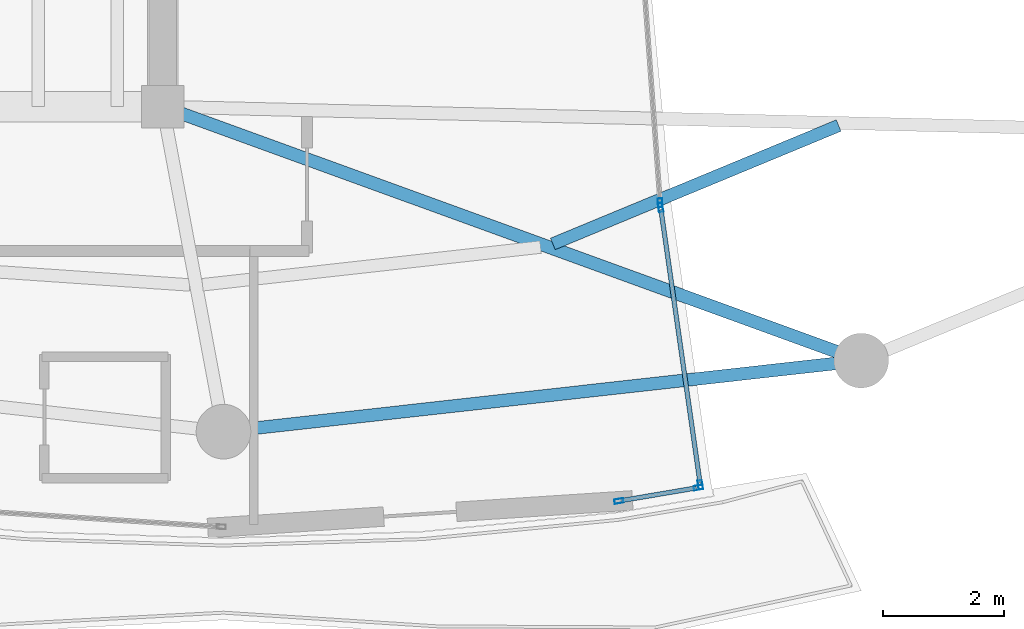
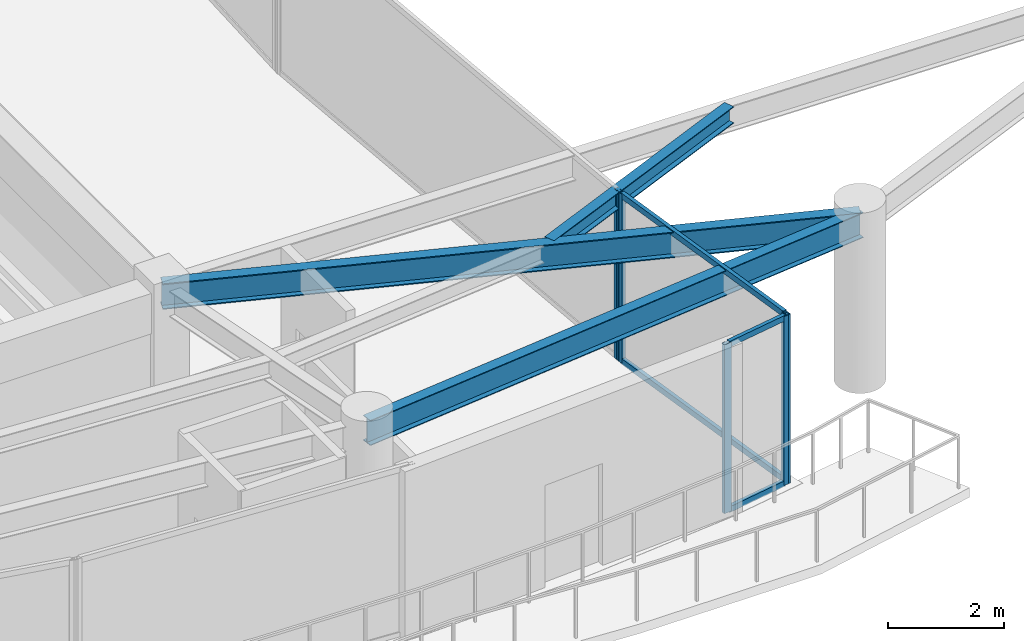
# One storey, part 10 of 23: 9 members, 3 beams, 3 elements without a shape of their own.
"""IFC4 building model written with IfcOpenShell, lengths in metres."""

import ifcopenshell
import ifcopenshell.guid

model = None  # the IFC model being written
_history = None  # IfcOwnerHistory: only IFC2X3 demands one
_inside = {}  # id of a spatial element -> (the spatial element, [elements in it])
_under = {}  # id of a project, library or spatial element -> (it, [spatial elements below it])
_declared = {}  # id of a project -> (the project, [libraries it declares])
_typed = {}  # id of a type object -> (the type object, [elements of that type])
_made_of = {}  # id of a material, layer set ... -> (it, [elements and type objects made of it])


def new_model(schema):
    """Start an empty IFC model of exactly this schema.

    Asked for "IFC4X3", IfcOpenShell would pick the latest addendum, in which some entities
    have other attributes; the version numbers below select the first issue.
    IFC2X3 requires an IfcOwnerHistory on every rooted entity: one is made here for all.
    """
    global model, _history
    if schema == "IFC4X3":
        model = ifcopenshell.file(schema_version=(4, 3, 0, 0))
    else:
        model = ifcopenshell.file(schema=schema)
    _inside.clear()
    _under.clear()
    _declared.clear()
    _typed.clear()
    _made_of.clear()
    _history = None
    if model.schema == "IFC2X3":
        org = make("IfcOrganization", Name="unknown")
        user = make(
            "IfcPersonAndOrganization",
            ThePerson=make("IfcPerson", FamilyName="unknown"),
            TheOrganization=org,
        )
        app = make(
            "IfcApplication",
            ApplicationDeveloper=org,
            Version="unknown",
            ApplicationFullName="unknown",
            ApplicationIdentifier="unknown",
        )
        _history = make(
            "IfcOwnerHistory",
            OwningUser=user,
            OwningApplication=app,
            ChangeAction="ADDED",
            CreationDate=0,
        )
    return model


def make(cls, **values):
    """One entity of the class cls with the attributes given. An attribute that is None is left unset."""
    return model.create_entity(
        cls, **{name: value for name, value in values.items() if value is not None}
    )


def rooted(cls, **values):
    """An entity with a GlobalId (a new one), such as an element, a storey or a relation."""
    return make(cls, GlobalId=ifcopenshell.guid.new(), OwnerHistory=_history, **values)


def si_unit(unit_type, name, prefix=None):
    """IfcSIUnit, for example si_unit("LENGTHUNIT", "METRE", prefix="MILLI")."""
    return make("IfcSIUnit", UnitType=unit_type, Prefix=prefix, Name=name)


def assignment(units):
    """IfcUnitAssignment: the units of a project."""
    return None if units is None else make("IfcUnitAssignment", Units=units)


def point(xyz):
    """IfcCartesianPoint."""
    return None if xyz is None else make("IfcCartesianPoint", Coordinates=xyz)


def direction(xyz):
    """IfcDirection."""
    return None if xyz is None else make("IfcDirection", DirectionRatios=xyz)


def frame(location, z_axis=None, x_axis=None):
    """IfcAxis2Placement3D, a coordinate frame: its origin and axes. An axis left out is left unset."""
    return make(
        "IfcAxis2Placement3D",
        Location=point(location),
        Axis=direction(z_axis),
        RefDirection=direction(x_axis),
    )


def frame_2d(location, x_axis=None):
    """IfcAxis2Placement2D, a coordinate frame in the plane: its origin and x axis."""
    return make(
        "IfcAxis2Placement2D", Location=point(location), RefDirection=direction(x_axis)
    )


def origin():
    """The frame at (0, 0, 0) with its axes left unset."""
    return frame((0.0, 0.0, 0.0))


def origin_2d():
    """The frame at (0, 0) in the plane with its x axis left unset."""
    return frame_2d((0.0, 0.0))


def place(relative_to, where):
    """IfcLocalPlacement: puts the frame where relative to a parent placement (None: the world)."""
    return make(
        "IfcLocalPlacement", PlacementRelTo=relative_to, RelativePlacement=where
    )


def context(
    kind, dimensions, precision=None, world=None, true_north=None, identifier=None
):
    """IfcGeometricRepresentationContext, for example the 3D "Model" context."""
    return make(
        "IfcGeometricRepresentationContext",
        ContextIdentifier=identifier,
        ContextType=kind,
        CoordinateSpaceDimension=dimensions,
        Precision=precision,
        WorldCoordinateSystem=world,
        TrueNorth=true_north,
    )


def subcontext(parent, identifier, kind, view, scale=None):
    """IfcGeometricRepresentationSubContext, for example "Body" below "Model"."""
    return make(
        "IfcGeometricRepresentationSubContext",
        ContextIdentifier=identifier,
        ContextType=kind,
        ParentContext=parent,
        TargetScale=scale,
        TargetView=view,
    )


def project(units=None, contexts=None):
    """IfcProject with its units and contexts."""
    return rooted(
        "IfcProject",
        Name="project",
        RepresentationContexts=contexts,
        UnitsInContext=assignment(units),
    )


def spatial(cls, under=None, at=None, **own):
    """A site, building, storey or space (cls), placed at a placement, below another one or the project."""
    s = rooted(cls, ObjectPlacement=at, **own)
    if under is not None:
        _under.setdefault(under.id(), (under, []))[1].append(s)
    return s


def profile(cls, at=None, kind="AREA", **sizes):
    """A parametric profile (cls). Its sizes go by their IFC names, for example OverallWidth=200.0."""
    return make(cls, ProfileType=kind, Position=at, **sizes)


def hollow_rectangle(**sizes):
    """IfcRectangleHollowProfileDef."""
    return profile("IfcRectangleHollowProfileDef", **sizes)


def i_section(**sizes):
    """IfcIShapeProfileDef."""
    return profile("IfcIShapeProfileDef", **sizes)


def extrude(swept, where, along, depth):
    """IfcExtrudedAreaSolid: the profile swept, set in the frame where, extruded along a direction by depth."""
    return make(
        "IfcExtrudedAreaSolid",
        SweptArea=swept,
        Position=where,
        ExtrudedDirection=direction(along),
        Depth=depth,
    )


def shape(context_of_items, identifier, shape_type, items):
    """IfcShapeRepresentation: the items that make up one representation, for example the "Body"."""
    return make(
        "IfcShapeRepresentation",
        ContextOfItems=context_of_items,
        RepresentationIdentifier=identifier,
        RepresentationType=shape_type,
        Items=items,
    )


def material(Name=None, Category=None):
    """IfcMaterial."""
    return make("IfcMaterial", Name=Name, Category=Category)


def layer(
    of_material, thickness, ventilated=None, Name=None, Category=None, Priority=None
):
    """IfcMaterialLayer: one layer of a wall or slab, of a material (None: an air gap)."""
    return make(
        "IfcMaterialLayer",
        Material=of_material,
        LayerThickness=thickness,
        IsVentilated=ventilated,
        Name=Name,
        Category=Category,
        Priority=Priority,
    )


def layer_set(layers, Name=None):
    """IfcMaterialLayerSet."""
    return make("IfcMaterialLayerSet", MaterialLayers=layers, LayerSetName=Name)


def material_profile(
    of_material, cross_section, Name=None, Category=None, Priority=None
):
    """IfcMaterialProfile: a cross section and its material."""
    return make(
        "IfcMaterialProfile",
        Name=Name,
        Material=of_material,
        Profile=cross_section,
        Priority=Priority,
        Category=Category,
    )


def profile_set(profiles, Name=None, composite=None):
    """IfcMaterialProfileSet."""
    return make(
        "IfcMaterialProfileSet",
        Name=Name,
        MaterialProfiles=profiles,
        CompositeProfile=composite,
    )


def made_of(thing, what):
    """Note that an element or type object is made of a material, layer set ...; save() writes the relation."""
    if what is not None:
        _made_of.setdefault(what.id(), (what, []))[1].append(thing)
    return thing


def type_object(cls, material=None, **own):
    """A type object (cls), such as IfcWallType, which elements share."""
    return made_of(rooted(cls, **own), material)


def element(
    cls,
    number,
    at=None,
    inside=None,
    cuts=None,
    type_object=None,
    material=None,
    context=None,
    identifier="Body",
    shape_type=None,
    held_by="IfcProductDefinitionShape",
    body=None,
    shapes=None,
    **own,
):
    """One element of the class cls, such as IfcWall. Its Tag is "e" and its number.

    at: its placement. inside: the storey or other place that contains it. cuts: it is an
    opening in that element (IfcRelVoidsElement). A single representation is given by context,
    identifier, shape_type and body (its items); several are given by shapes. held_by: the class
    of the entity that holds the representations. save() writes the other relations.
    """
    e = rooted(cls, Tag="e%d" % number, ObjectPlacement=at, **own)
    if body is not None:
        shapes = [shape(context, identifier, shape_type, body)]
    if shapes is not None:
        e.Representation = make(held_by, Representations=shapes)
    if inside is not None:
        _inside.setdefault(inside.id(), (inside, []))[1].append(e)
    if cuts is not None:
        rooted(
            "IfcRelVoidsElement", RelatingBuildingElement=cuts, RelatedOpeningElement=e
        )
    if type_object is not None:
        _typed.setdefault(type_object.id(), (type_object, []))[1].append(e)
    return made_of(e, material)


def aggregate(whole, parts):
    """IfcRelAggregates: a whole, such as a stair, and the parts it consists of."""
    return rooted("IfcRelAggregates", RelatingObject=whole, RelatedObjects=parts)


def save(model, path):
    """Write the relations noted so far, then the file.

    IfcRelAggregates (storeys below a building ...), IfcRelContainedInSpatialStructure (elements
    in a storey), IfcRelDefinesByType, IfcRelAssociatesMaterial and IfcRelDeclares: one each for
    every whole, place, type object, material and project.
    """
    for whole, parts in _under.values():
        aggregate(whole, parts)
    for where, things in _inside.values():
        rooted(
            "IfcRelContainedInSpatialStructure",
            RelatedElements=things,
            RelatingStructure=where,
        )
    for kind, things in _typed.values():
        rooted("IfcRelDefinesByType", RelatedObjects=things, RelatingType=kind)
    for what, things in _made_of.values():
        rooted("IfcRelAssociatesMaterial", RelatedObjects=things, RelatingMaterial=what)
    for by, libraries in _declared.values():
        rooted("IfcRelDeclares", RelatingContext=by, RelatedDefinitions=libraries)
    model.write(path)


model = new_model("IFC4")

# Units and contexts
model_context = context("Model", 3, precision=1e-05, world=origin(), true_north=direction((0.0, 1.0)))
body_context = subcontext(model_context, "Body", "Model", "MODEL_VIEW")
ifc_project = project(units=[si_unit("LENGTHUNIT", "METRE"), si_unit("AREAUNIT", "SQUARE_METRE"), si_unit("VOLUMEUNIT", "CUBIC_METRE"), si_unit("PLANEANGLEUNIT", "RADIAN"), si_unit("MASSUNIT", "GRAM", prefix="KILO")], contexts=[model_context])

# Site, building, storey
site_placement = place(None, origin())
site = spatial("IfcSite", under=ifc_project, at=site_placement, CompositionType="ELEMENT")
building_placement = place(site_placement, origin())
building = spatial("IfcBuilding", under=site, at=building_placement, Name="Kazevale Care Tower and Concert Hall", CompositionType="ELEMENT")
storey_placement = place(building_placement, frame((0.0, 0.0, 266.199951171875)))
storey = spatial("IfcBuildingStorey", under=building, at=storey_placement, Name="L70", CompositionType="ELEMENT", Elevation=266.199951171875)

# Curtain wall, member
ifc_material_1 = material(Name="Aluminium 6063-T6 and Low-E Glass", Category="aluminium")
ifc_layer = layer(ifc_material_1, 0.179931640625)
ifc_layer_set = layer_set([ifc_layer], Name="Aluminium 6063-T6 and Low-E Glass")
curtain_wall_type = type_object("IfcCurtainWallType", Name="Sheltered Concave Balcony Curtain Wall CW-5", PredefinedType="NOTDEFINED", material=ifc_layer_set)
curtain_wall_1_placement = place(storey_placement, origin())
curtain_wall_1 = element("IfcCurtainWall", 1, at=curtain_wall_1_placement, inside=storey, type_object=curtain_wall_type, Name="cw:L70:f15", PredefinedType="NOTDEFINED")
ifc_material_2 = material(Name="Aluminium 6063-T6", Category="aluminium")
ifc_material_profile_1 = material_profile(ifc_material_2, hollow_rectangle(XDim=0.074951171875, YDim=0.14990234375, WallThickness=0.00390625, at=origin_2d()), Name="ALU75x150x4")
ifc_profile_set_1 = profile_set([ifc_material_profile_1], Name="Aluminium 6063-T6")
member_type_1 = type_object("IfcMemberType", Name="CW-5 Mullion ALU75x150x4", PredefinedType="MULLION", material=ifc_profile_set_1)
member_1_placement = place(storey_placement, frame((52.189208984375, 22.016357421875, 0.0), z_axis=(0.0, 0.0, 1.0), x_axis=(0.997279450578, 0.07371361784, 0.0)))
member_1 = element("IfcMember", 2, at=member_1_placement, type_object=member_type_1, Name="CW-5 mullion 2", PredefinedType="MULLION", context=body_context, shape_type="SweptSolid", body=[
    extrude(hollow_rectangle(XDim=0.074951171875, YDim=0.14990234375, WallThickness=0.00390625, at=origin_2d()), origin(), (0.0, 0.0, 1.0), 3.56005859375),
])
aggregate(curtain_wall_1, [member_1])

# Curtain wall, members
curtain_wall_2_placement = place(storey_placement, origin())
curtain_wall_2 = element("IfcCurtainWall", 3, at=curtain_wall_2_placement, inside=storey, type_object=curtain_wall_type, Name="cw:L70:f16", PredefinedType="NOTDEFINED")
member_2_placement = place(storey_placement, frame((52.197265625, 21.94189453125, 0.0), z_axis=(0.0, 0.0, 1.0), x_axis=(0.989928161537, 0.141570600748, 0.0)))
member_2 = element("IfcMember", 4, at=member_2_placement, type_object=member_type_1, Name="CW-5 mullion 1", PredefinedType="MULLION", context=body_context, shape_type="SweptSolid", body=[
    extrude(hollow_rectangle(XDim=0.074951171875, YDim=0.14990234375, WallThickness=0.00390625, at=origin_2d()), origin(), (0.0, 0.0, 1.0), 3.56005859375),
])
member_3_placement = place(storey_placement, frame((52.8505859375, 17.373046875, 0.0), z_axis=(0.0, 0.0, 1.0), x_axis=(0.989928161537, 0.141570600748, 0.0)))
member_3 = element("IfcMember", 5, at=member_3_placement, type_object=member_type_1, Name="CW-5 mullion 2", PredefinedType="MULLION", context=body_context, shape_type="SweptSolid", body=[
    extrude(hollow_rectangle(XDim=0.074951171875, YDim=0.14990234375, WallThickness=0.00390625, at=origin_2d()), origin(), (0.0, 0.0, 1.0), 3.56005859375),
])

curtain_wall_3_placement = place(storey_placement, origin())
curtain_wall_3 = element("IfcCurtainWall", 6, at=curtain_wall_3_placement, inside=storey, type_object=curtain_wall_type, Name="cw:L70:f17", PredefinedType="NOTDEFINED")
member_4_placement = place(storey_placement, frame((52.819091796875, 17.329833984375, 0.0), z_axis=(0.0, 0.0, 1.0), x_axis=(0.166943665686, -0.985966435781, 0.0)))
member_4 = element("IfcMember", 7, at=member_4_placement, type_object=member_type_1, Name="CW-5 mullion 1", PredefinedType="MULLION", context=body_context, shape_type="SweptSolid", body=[
    extrude(hollow_rectangle(XDim=0.074951171875, YDim=0.14990234375, WallThickness=0.00390625, at=origin_2d()), origin(), (0.0, 0.0, 1.0), 3.56005859375),
])
member_5_placement = place(storey_placement, frame((51.510986328125, 17.108154296875, 0.0), z_axis=(0.0, 0.0, 1.0), x_axis=(0.166943665686, -0.985966435781, 0.0)))
member_5 = element("IfcMember", 8, at=member_5_placement, type_object=member_type_1, Name="CW-5 mullion 2", PredefinedType="MULLION", context=body_context, shape_type="SweptSolid", body=[
    extrude(hollow_rectangle(XDim=0.074951171875, YDim=0.14990234375, WallThickness=0.00390625, at=origin_2d()), origin(), (0.0, 0.0, 1.0), 3.56005859375),
])

# Member
ifc_material_profile_2 = material_profile(ifc_material_2, hollow_rectangle(XDim=0.074951171875, YDim=0.1201171875, WallThickness=0.00390625, at=origin_2d()), Name="ALU75x120x4")
ifc_profile_set_2 = profile_set([ifc_material_profile_2], Name="Aluminium 6063-T6")
member_type_2 = type_object("IfcMemberType", Name="CW-5 Transom ALU75x120x4", PredefinedType="USERDEFINED", material=ifc_profile_set_2)
member_6_placement = place(storey_placement, frame((52.20263671875, 21.90478515625, 0.03759765625), z_axis=(0.141579441619, -0.989926897155, 0.0), x_axis=(0.989926897155, 0.141579441619, 0.0)))
member_6 = element("IfcMember", 9, at=member_6_placement, type_object=member_type_2, Name="CW-5 transom 1.1", ObjectType="TRANSOM", PredefinedType="USERDEFINED", context=body_context, shape_type="SweptSolid", body=[
    extrude(hollow_rectangle(XDim=0.074951171875, YDim=0.1201171875, WallThickness=0.00390625, at=origin_2d()), origin(), (0.0, 0.0, 1.0), 4.540283203125),
])

member_7_placement = place(storey_placement, frame((52.20263671875, 21.90478515625, 3.5224609375), z_axis=(0.141579441619, -0.989926897155, 0.0), x_axis=(0.989926897155, 0.141579441619, 0.0)))
member_7 = element("IfcMember", 10, at=member_7_placement, type_object=member_type_2, Name="CW-5 transom 1.2", ObjectType="TRANSOM", PredefinedType="USERDEFINED", context=body_context, shape_type="SweptSolid", body=[
    extrude(hollow_rectangle(XDim=0.074951171875, YDim=0.1201171875, WallThickness=0.00390625, at=origin_2d()), origin(), (0.0, 0.0, 1.0), 4.540283203125),
])

aggregate(curtain_wall_2, [member_2, member_3, member_6, member_7])

member_8_placement = place(storey_placement, frame((52.781982421875, 17.323486328125, 0.03759765625), z_axis=(-0.985963601485, -0.166960404129, 0.0), x_axis=(0.166960404129, -0.985963601485, 0.0)))
member_8 = element("IfcMember", 11, at=member_8_placement, type_object=member_type_2, Name="CW-5 transom 1.1", ObjectType="TRANSOM", PredefinedType="USERDEFINED", context=body_context, shape_type="SweptSolid", body=[
    extrude(hollow_rectangle(XDim=0.074951171875, YDim=0.1201171875, WallThickness=0.00390625, at=origin_2d()), origin(), (0.0, 0.0, 1.0), 1.251708984375),
])

member_9_placement = place(storey_placement, frame((52.781982421875, 17.323486328125, 3.5224609375), z_axis=(-0.985963601485, -0.166960404129, 0.0), x_axis=(0.166960404129, -0.985963601485, 0.0)))
member_9 = element("IfcMember", 12, at=member_9_placement, type_object=member_type_2, Name="CW-5 transom 1.2", ObjectType="TRANSOM", PredefinedType="USERDEFINED", context=body_context, shape_type="SweptSolid", body=[
    extrude(hollow_rectangle(XDim=0.074951171875, YDim=0.1201171875, WallThickness=0.00390625, at=origin_2d()), origin(), (0.0, 0.0, 1.0), 1.251708984375),
])

aggregate(curtain_wall_3, [member_4, member_5, member_8, member_9])

# Beams
ifc_material_3 = material(Name="Steel ASTM A572 Gr 50", Category="steel")
ifc_material_profile_3 = material_profile(ifc_material_3, i_section(OverallWidth=0.2119140625, OverallDepth=0.5439453125, WebThickness=0.01318359375, FlangeThickness=0.021240234375, at=origin_2d()), Name="W530x123")
ifc_profile_set_3 = profile_set([ifc_material_profile_3], Name="Steel ASTM A572 Gr 50")
beam_type_1 = type_object("IfcBeamType", Name="Radial Floor Girder W530x123", PredefinedType="BEAM", material=ifc_profile_set_3)
beam_1_placement = place(storey_placement, frame((44.0, 23.60009765625, 3.2880859375), z_axis=(0.939836524786, -0.341624511239, 0.0), x_axis=(0.341624511239, 0.939836524786, 0.0)))
element("IfcBeam", 13, at=beam_1_placement, inside=storey, type_object=beam_type_1, Name="beam:L70:rad:14", PredefinedType="BEAM", context=body_context, shape_type="SweptSolid", body=[
    extrude(i_section(OverallWidth=0.2119140625, OverallDepth=0.5439453125, WebThickness=0.01318359375, FlangeThickness=0.021240234375, at=origin_2d()), origin(), (0.0, 0.0, 1.0), 12.236083984375),
])
ifc_material_profile_4 = material_profile(ifc_material_3, i_section(OverallWidth=0.205078125, OverallDepth=0.35400390625, WebThickness=0.009521484375, FlangeThickness=0.016845703125, at=origin_2d()), Name="W360x79")
ifc_profile_set_4 = profile_set([ifc_material_profile_4], Name="Steel ASTM A572 Gr 50")
beam_type_2 = type_object("IfcBeamType", Name="Secondary Floor Joist W360x79", PredefinedType="JOIST", material=ifc_profile_set_4)
beam_2_placement = place(storey_placement, frame((50.422119140625, 21.341064453125, 3.383056640625), z_axis=(0.92389590915, 0.382643893268, 0.0), x_axis=(-0.382643893268, 0.92389590915, 0.0)))
element("IfcBeam", 14, at=beam_2_placement, inside=storey, type_object=beam_type_2, Name="beam:L70:joist:14", PredefinedType="JOIST", context=body_context, shape_type="SweptSolid", body=[
    extrude(i_section(OverallWidth=0.205078125, OverallDepth=0.35400390625, WebThickness=0.009521484375, FlangeThickness=0.016845703125, at=origin_2d()), origin(), (0.0, 0.0, 1.0), 5.093505859375),
])
ifc_material_profile_5 = material_profile(ifc_material_3, i_section(OverallWidth=0.208984375, OverallDepth=0.532958984375, WebThickness=0.01025390625, FlangeThickness=0.015625, at=origin_2d()), Name="W530x92")
ifc_profile_set_5 = profile_set([ifc_material_profile_5], Name="Steel ASTM A572 Gr 50")
beam_type_3 = type_object("IfcBeamType", Name="Upper Ring Beam W530x92", PredefinedType="BEAM", material=ifc_profile_set_5)
beam_3_placement = place(storey_placement, frame((45.0, 18.25, 3.29345703125), z_axis=(0.993849870772, 0.110735876598, 0.0), x_axis=(-0.110735876598, 0.993849870772, 0.0)))
element("IfcBeam", 15, at=beam_3_placement, inside=storey, type_object=beam_type_3, Name="beam:L70:ring:13", PredefinedType="BEAM", context=body_context, shape_type="SweptSolid", body=[
    extrude(i_section(OverallWidth=0.208984375, OverallDepth=0.532958984375, WebThickness=0.01025390625, FlangeThickness=0.015625, at=origin_2d()), origin(), (0.0, 0.0, 1.0), 10.56494140625),
])

save(model, "model.ifc")
